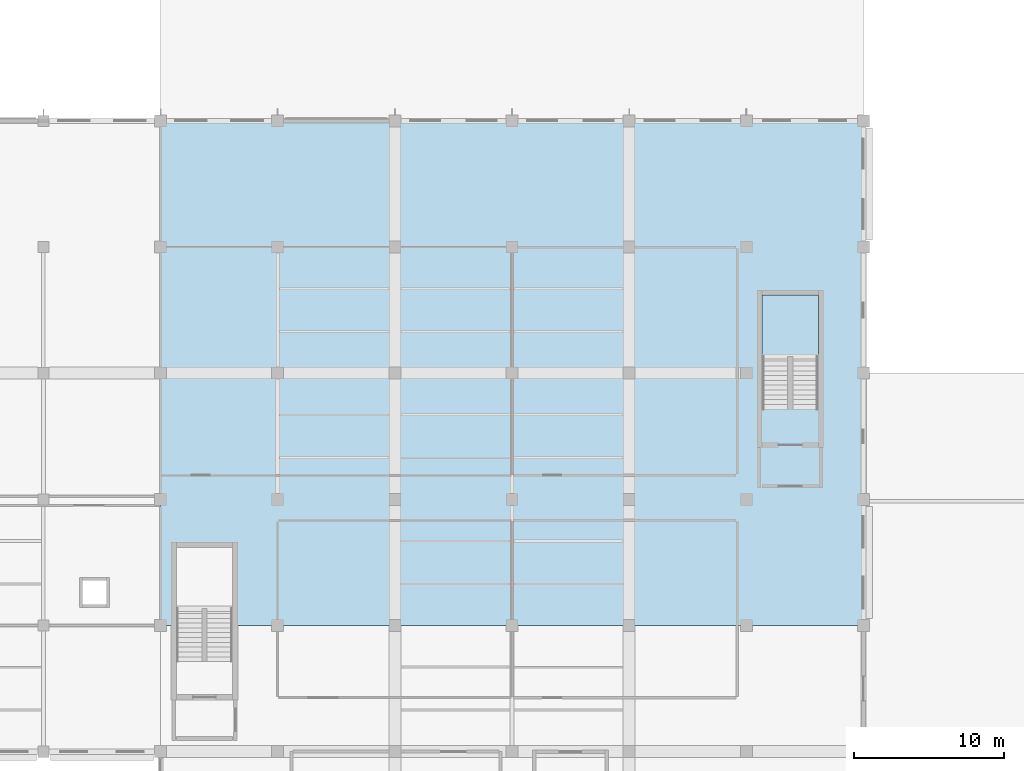
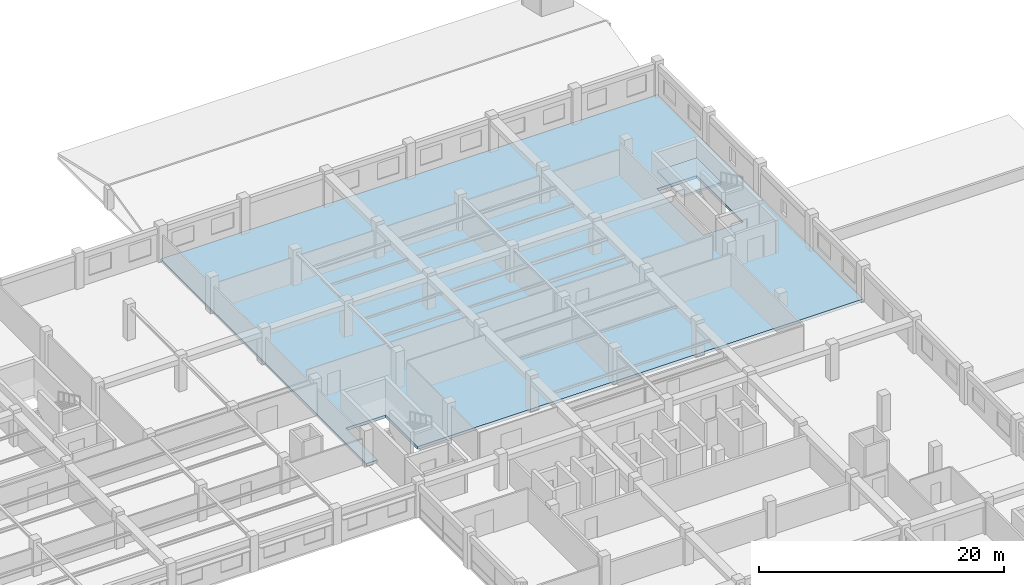
# One storey, part 32 of 50: 2 slabs, 1 element without a shape of its own.
"""IFC4 building model written with IfcOpenShell, lengths in metres."""

from ifc_helpers import new_model, si_unit, direction, frame, origin, place, context, subcontext, project, spatial, polyline, outline, extrude, material, layer, layer_set, type_object, element, aggregate, save


model = new_model("IFC4")

# Units and contexts
model_context = context("Model", 3, precision=1e-05, world=origin(), true_north=direction((0.0, 1.0)))
body_context = subcontext(model_context, "Body", "Model", "MODEL_VIEW")
ifc_project = project(units=[si_unit("LENGTHUNIT", "METRE"), si_unit("AREAUNIT", "SQUARE_METRE"), si_unit("VOLUMEUNIT", "CUBIC_METRE"), si_unit("PLANEANGLEUNIT", "RADIAN"), si_unit("MASSUNIT", "GRAM", prefix="KILO"), si_unit("THERMODYNAMICTEMPERATUREUNIT", "KELVIN"), si_unit("POWERUNIT", "WATT")], contexts=[model_context])

# Site, building, storey
site_placement = place(None, origin())
site = spatial("IfcSite", under=ifc_project, at=site_placement, CompositionType="ELEMENT")
building_placement = place(site_placement, origin())
building = spatial("IfcBuilding", under=site, at=building_placement, Name="Srebrne Nadtorze General Hospital", CompositionType="ELEMENT")
storey_placement = place(building_placement, frame((0.0, 0.0, 14.39990234375)))
storey = spatial("IfcBuildingStorey", under=building, at=storey_placement, Name="L03", CompositionType="ELEMENT", Elevation=14.39990234375)

# Slab
ifc_material_1 = material(Name="Concrete C35/45", Category="concrete")
ifc_layer_1 = layer(ifc_material_1, 0.280029296875)
ifc_layer_set_1 = layer_set([ifc_layer_1], Name="Concrete C35/45")
slab_type_1 = type_object("IfcSlabType", Name="Interstitial slab 280", PredefinedType="FLOOR", material=ifc_layer_set_1)
slab_1_placement = place(storey_placement, frame((0.0, 0.0, -0.27978515625)))
element("IfcSlab", 1, at=slab_1_placement, inside=storey, type_object=slab_type_1, Name="Suspended floor slab SL-L03-EN", PredefinedType="FLOOR", context=body_context, shape_type="SweptSolid", body=[
    extrude(outline(polyline([(102.449951171875, 58.800048828125), (102.449951171875, 64.0), (106.199951171875, 64.0), (106.199951171875, 58.800048828125), (148.199951171875, 58.800048828125), (148.199951171875, 92.39990234375), (101.39990234375, 92.39990234375), (101.39990234375, 58.800048828125), (102.449951171875, 58.800048828125)]), holes=[polyline([(141.449951171875, 73.205078125), (141.449951171875, 80.800048828125), (145.199951171875, 80.800048828125), (145.199951171875, 73.205078125), (141.449951171875, 73.205078125)])]), origin(), (0.0, 0.0, 1.0), 0.27978515625),
])

# Stair, slab
ifc_material_2 = material(Name="Concrete C35/45", Category="concrete")
stair_type = type_object("IfcStairType", Name="Dog-leg escape stair 360", PredefinedType="HALF_TURN_STAIR", material=ifc_material_2)
stair_placement = place(storey_placement, origin())
stair = element("IfcStair", 2, at=stair_placement, inside=storey, type_object=stair_type, Name="Escape stair ST-04-L03", PredefinedType="HALF_TURN_STAIR")
ifc_material_3 = material(Name="Concrete C35/45", Category="concrete")
ifc_layer_2 = layer(ifc_material_3, 0.219970703125)
ifc_layer_set_2 = layer_set([ifc_layer_2], Name="Concrete C35/45")
slab_type_2 = type_object("IfcSlabType", Name="Stair landing slab 220", PredefinedType="LANDING", material=ifc_layer_set_2)
slab_2_placement = place(storey_placement, frame((0.0, 0.0, 1.580078125)))
slab_2 = element("IfcSlab", 3, at=slab_2_placement, type_object=slab_type_2, Name="ST-04 landing 1", PredefinedType="LANDING", context=body_context, shape_type="SweptSolid", body=[
    extrude(outline(polyline([(141.449951171875, 76.719970703125), (145.199951171875, 76.719970703125), (145.199951171875, 80.800048828125), (141.449951171875, 80.800048828125), (141.449951171875, 76.719970703125)])), origin(), (0.0, 0.0, 1.0), 0.219970703125),
])
aggregate(stair, [slab_2])

save(model, "model.ifc")
